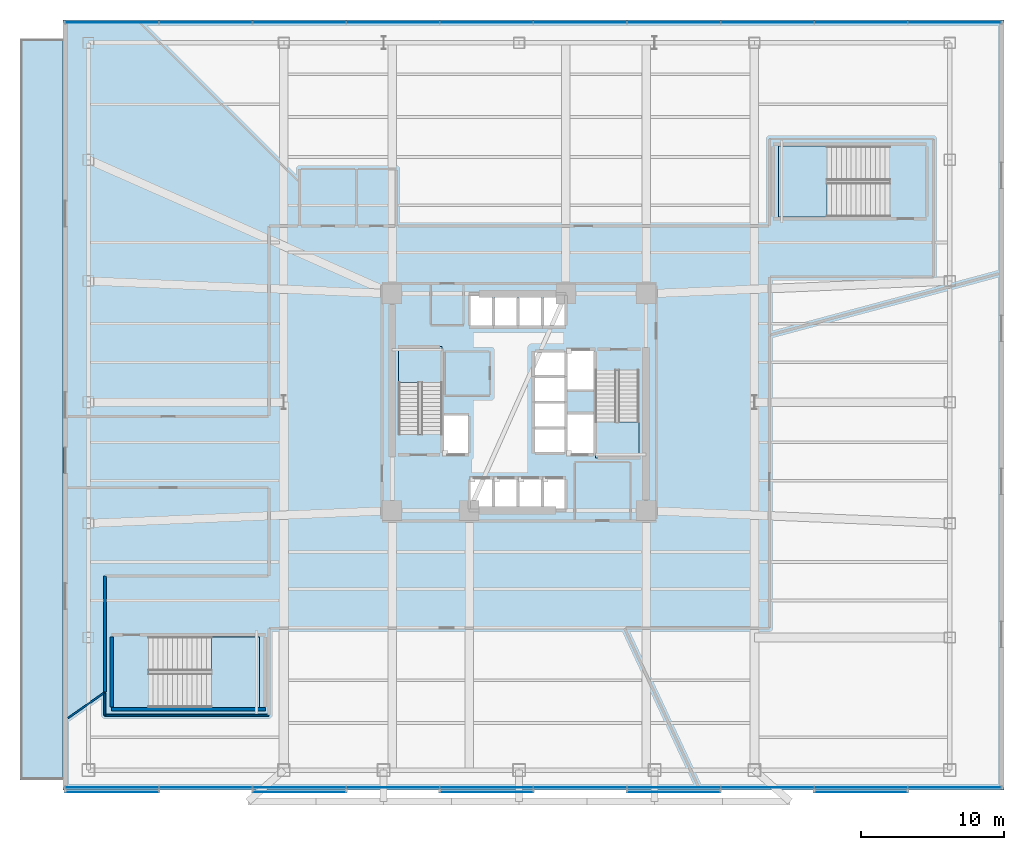
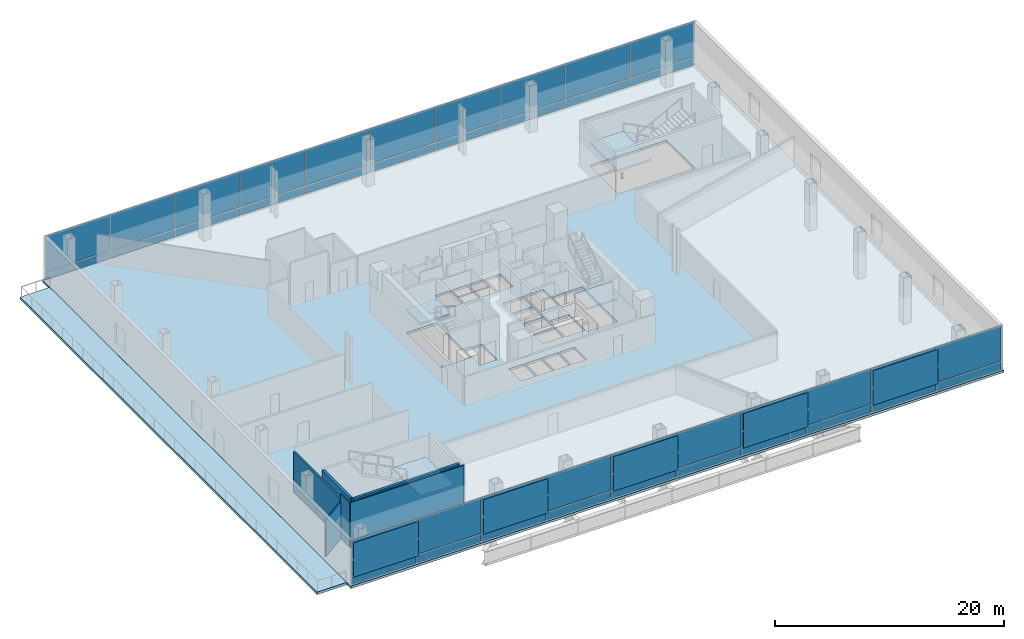
# One storey, part 9 of 20: 45 plates, 6 slabs, 6 walls, 6 elements without a shape of their own.
"""IFC4 building model written with IfcOpenShell, lengths in metres."""

from ifc_helpers import new_model, si_unit, direction, frame, frame_2d, origin, origin_2d, place, context, subcontext, project, spatial, polyline, rectangle, outline, extrude, material, layer, layer_set, type_object, element, aggregate, save


model = new_model("IFC4")

# Units and contexts
model_context = context("Model", 3, precision=1e-05, world=origin(), true_north=direction((0.0, 1.0)))
body_context = subcontext(model_context, "Body", "Model", "MODEL_VIEW")
ifc_project = project(units=[si_unit("LENGTHUNIT", "METRE"), si_unit("AREAUNIT", "SQUARE_METRE"), si_unit("VOLUMEUNIT", "CUBIC_METRE"), si_unit("PLANEANGLEUNIT", "RADIAN"), si_unit("MASSUNIT", "GRAM", prefix="KILO")], contexts=[model_context])

# Site, building, storey
site_placement = place(None, origin())
site = spatial("IfcSite", under=ifc_project, at=site_placement, CompositionType="ELEMENT")
building_placement = place(site_placement, origin())
building = spatial("IfcBuilding", under=site, at=building_placement, Name="Tharavind Bronze Gate", CompositionType="ELEMENT")
storey_placement = place(building_placement, frame((0.0, 0.0, 16.5)))
storey = spatial("IfcBuildingStorey", under=building, at=storey_placement, Name="L03", CompositionType="ELEMENT", Elevation=16.5)

# Plates
ifc_material_1 = material(Name="Perforated Bronze Alloy", Category="bronze")
ifc_layer_1 = layer(ifc_material_1, 0.011962890625)
ifc_layer_set_1 = layer_set([ifc_layer_1], Name="Perforated Bronze Alloy")
plate_type_1 = type_object("IfcPlateType", Name="BRONZE PERFORATED SOLAR SCREEN", PredefinedType="USERDEFINED", material=ifc_layer_set_1)
for number, where, z_axis, x_axis, name in (
    (1, (-28.5380859375, -27.3349609375, 0.97412109375), (0.0, 0.0, 1.0), (1.0, 0.0, 0.0), "CW-L03-S1 perforated bronze solar screen 1"),
    (2, (-15.409912109375, -27.3349609375, 0.97412109375), (0.0, 0.0, 1.0), (1.0, 0.0, 0.0), "CW-L03-S1 perforated bronze solar screen 3"),
    (3, (-2.281982421875, -27.3349609375, 0.97412109375), (0.0, 0.0, 1.0), (1.0, 0.0, 0.0), "CW-L03-S1 perforated bronze solar screen 5"),
    (4, (10.845947265625, -27.3349609375, 0.97412109375), (0.0, 0.0, 1.0), (1.0, 0.0, 0.0), "CW-L03-S1 perforated bronze solar screen 7"),
    (5, (23.97412109375, -27.3349609375, 0.97412109375), (0.0, 0.0, 1.0), (1.0, 0.0, 0.0), "CW-L03-S1 perforated bronze solar screen 9"),
):
    element("IfcPlate", number, at=place(storey_placement, frame(where, z_axis=z_axis, x_axis=x_axis)), inside=storey, type_object=plate_type_1, Name=name, ObjectType="SCREEN", PredefinedType="USERDEFINED", context=body_context, shape_type="SweptSolid", body=[
        extrude(rectangle(XDim=6.5439453125, YDim=0.011962890625, at=origin_2d()), origin(), (0.0, 0.0, 1.0), 3.69189453125),
    ])

# Curtain wall, plates
ifc_material_2 = material(Name="Anodised Bronze Aluminium", Category="aluminium")
ifc_layer_2 = layer(ifc_material_2, 0.219970703125)
ifc_layer_set_2 = layer_set([ifc_layer_2], Name="Anodised Bronze Aluminium")
curtain_wall_type = type_object("IfcCurtainWallType", Name="UNITISED CURTAIN WALL PODIUM", PredefinedType="USERDEFINED", material=ifc_layer_set_2)
curtain_wall_1_placement = place(storey_placement, origin())
curtain_wall_1 = element("IfcCurtainWall", 6, at=curtain_wall_1_placement, inside=storey, type_object=curtain_wall_type, Name="L03 unitised curtain wall podium CW-L03-S1", ObjectType="UNITISED CURTAIN WALL", PredefinedType="USERDEFINED")
ifc_material_3 = material(Name="Patinated Bronze Alloy Sheet", Category="bronze")
ifc_layer_3 = layer(ifc_material_3, 0.01611328125)
ifc_layer_set_3 = layer_set([ifc_layer_3], Name="Patinated Bronze Alloy Sheet")
plate_type_2 = type_object("IfcPlateType", Name="BRONZE SPANDREL CLADDING PANEL 16", PredefinedType="CURTAIN_PANEL", material=ifc_layer_set_3)
plate_1_placement = place(storey_placement, frame((-28.5380859375, -27.02001953125, 0.033935546875), z_axis=(0.0, 0.0, 1.0), x_axis=(1.0, 0.0, 0.0)))
plate_1 = element("IfcPlate", 7, at=plate_1_placement, type_object=plate_type_2, Name="CW-L03-S1 bronze spandrel panel 1", PredefinedType="CURTAIN_PANEL", context=body_context, shape_type="SweptSolid", body=[
    extrude(rectangle(XDim=6.49609375, YDim=0.01611328125, at=origin_2d()), origin(), (0.0, 0.0, 1.0), 0.83203125),
])
plate_2_placement = place(storey_placement, frame((-21.97412109375, -27.02001953125, 0.033935546875), z_axis=(0.0, 0.0, 1.0), x_axis=(1.0, 0.0, 0.0)))
plate_2 = element("IfcPlate", 8, at=plate_2_placement, type_object=plate_type_2, Name="CW-L03-S1 bronze spandrel panel 2", PredefinedType="CURTAIN_PANEL", context=body_context, shape_type="SweptSolid", body=[
    extrude(rectangle(XDim=6.49609375, YDim=0.01611328125, at=origin_2d()), origin(), (0.0, 0.0, 1.0), 0.83203125),
])
plate_3_placement = place(storey_placement, frame((-15.409912109375, -27.02001953125, 0.033935546875), z_axis=(0.0, 0.0, 1.0), x_axis=(1.0, 0.0, 0.0)))
plate_3 = element("IfcPlate", 9, at=plate_3_placement, type_object=plate_type_2, Name="CW-L03-S1 bronze spandrel panel 3", PredefinedType="CURTAIN_PANEL", context=body_context, shape_type="SweptSolid", body=[
    extrude(rectangle(XDim=6.49609375, YDim=0.01611328125, at=origin_2d()), origin(), (0.0, 0.0, 1.0), 0.83203125),
])
plate_4_placement = place(storey_placement, frame((-8.845947265625, -27.02001953125, 0.033935546875), z_axis=(0.0, 0.0, 1.0), x_axis=(1.0, 0.0, 0.0)))
plate_4 = element("IfcPlate", 10, at=plate_4_placement, type_object=plate_type_2, Name="CW-L03-S1 bronze spandrel panel 4", PredefinedType="CURTAIN_PANEL", context=body_context, shape_type="SweptSolid", body=[
    extrude(rectangle(XDim=6.49609375, YDim=0.01611328125, at=origin_2d()), origin(), (0.0, 0.0, 1.0), 0.83203125),
])
plate_5_placement = place(storey_placement, frame((-2.281982421875, -27.02001953125, 0.033935546875), z_axis=(0.0, 0.0, 1.0), x_axis=(1.0, 0.0, 0.0)))
plate_5 = element("IfcPlate", 11, at=plate_5_placement, type_object=plate_type_2, Name="CW-L03-S1 bronze spandrel panel 5", PredefinedType="CURTAIN_PANEL", context=body_context, shape_type="SweptSolid", body=[
    extrude(rectangle(XDim=6.49609375, YDim=0.01611328125, at=origin_2d()), origin(), (0.0, 0.0, 1.0), 0.83203125),
])
plate_6_placement = place(storey_placement, frame((4.281982421875, -27.02001953125, 0.033935546875), z_axis=(0.0, 0.0, 1.0), x_axis=(1.0, 0.0, 0.0)))
plate_6 = element("IfcPlate", 12, at=plate_6_placement, type_object=plate_type_2, Name="CW-L03-S1 bronze spandrel panel 6", PredefinedType="CURTAIN_PANEL", context=body_context, shape_type="SweptSolid", body=[
    extrude(rectangle(XDim=6.49609375, YDim=0.01611328125, at=origin_2d()), origin(), (0.0, 0.0, 1.0), 0.83203125),
])
plate_7_placement = place(storey_placement, frame((10.845947265625, -27.02001953125, 0.033935546875), z_axis=(0.0, 0.0, 1.0), x_axis=(1.0, 0.0, 0.0)))
plate_7 = element("IfcPlate", 13, at=plate_7_placement, type_object=plate_type_2, Name="CW-L03-S1 bronze spandrel panel 7", PredefinedType="CURTAIN_PANEL", context=body_context, shape_type="SweptSolid", body=[
    extrude(rectangle(XDim=6.49609375, YDim=0.01611328125, at=origin_2d()), origin(), (0.0, 0.0, 1.0), 0.83203125),
])
plate_8_placement = place(storey_placement, frame((17.409912109375, -27.02001953125, 0.033935546875), z_axis=(0.0, 0.0, 1.0), x_axis=(1.0, 0.0, 0.0)))
plate_8 = element("IfcPlate", 14, at=plate_8_placement, type_object=plate_type_2, Name="CW-L03-S1 bronze spandrel panel 8", PredefinedType="CURTAIN_PANEL", context=body_context, shape_type="SweptSolid", body=[
    extrude(rectangle(XDim=6.49609375, YDim=0.01611328125, at=origin_2d()), origin(), (0.0, 0.0, 1.0), 0.83203125),
])
plate_9_placement = place(storey_placement, frame((23.97412109375, -27.02001953125, 0.033935546875), z_axis=(0.0, 0.0, 1.0), x_axis=(1.0, 0.0, 0.0)))
plate_9 = element("IfcPlate", 15, at=plate_9_placement, type_object=plate_type_2, Name="CW-L03-S1 bronze spandrel panel 9", PredefinedType="CURTAIN_PANEL", context=body_context, shape_type="SweptSolid", body=[
    extrude(rectangle(XDim=6.49609375, YDim=0.01611328125, at=origin_2d()), origin(), (0.0, 0.0, 1.0), 0.83203125),
])
plate_10_placement = place(storey_placement, frame((30.5380859375, -27.02001953125, 0.033935546875), z_axis=(0.0, 0.0, 1.0), x_axis=(1.0, 0.0, 0.0)))
plate_10 = element("IfcPlate", 16, at=plate_10_placement, type_object=plate_type_2, Name="CW-L03-S1 bronze spandrel panel 10", PredefinedType="CURTAIN_PANEL", context=body_context, shape_type="SweptSolid", body=[
    extrude(rectangle(XDim=6.49609375, YDim=0.01611328125, at=origin_2d()), origin(), (0.0, 0.0, 1.0), 0.83203125),
])

curtain_wall_2_placement = place(storey_placement, origin())
curtain_wall_2 = element("IfcCurtainWall", 17, at=curtain_wall_2_placement, inside=storey, type_object=curtain_wall_type, Name="L03 unitised curtain wall podium CW-L03-S2", ObjectType="UNITISED CURTAIN WALL", PredefinedType="USERDEFINED")
plate_11_placement = place(storey_placement, frame((30.5380859375, 26.6201171875, 0.033935546875), z_axis=(0.0, 0.0, 1.0), x_axis=(-1.0, 0.0, 0.0)))
plate_11 = element("IfcPlate", 18, at=plate_11_placement, type_object=plate_type_2, Name="CW-L03-S2 bronze spandrel panel 1", PredefinedType="CURTAIN_PANEL", context=body_context, shape_type="SweptSolid", body=[
    extrude(rectangle(XDim=6.49609375, YDim=0.01611328125, at=origin_2d()), origin(), (0.0, 0.0, 1.0), 0.83203125),
])
plate_12_placement = place(storey_placement, frame((23.97412109375, 26.6201171875, 0.033935546875), z_axis=(0.0, 0.0, 1.0), x_axis=(-1.0, 0.0, 0.0)))
plate_12 = element("IfcPlate", 19, at=plate_12_placement, type_object=plate_type_2, Name="CW-L03-S2 bronze spandrel panel 2", PredefinedType="CURTAIN_PANEL", context=body_context, shape_type="SweptSolid", body=[
    extrude(rectangle(XDim=6.49609375, YDim=0.01611328125, at=origin_2d()), origin(), (0.0, 0.0, 1.0), 0.83203125),
])
plate_13_placement = place(storey_placement, frame((17.409912109375, 26.6201171875, 0.033935546875), z_axis=(0.0, 0.0, 1.0), x_axis=(-1.0, 0.0, 0.0)))
plate_13 = element("IfcPlate", 20, at=plate_13_placement, type_object=plate_type_2, Name="CW-L03-S2 bronze spandrel panel 3", PredefinedType="CURTAIN_PANEL", context=body_context, shape_type="SweptSolid", body=[
    extrude(rectangle(XDim=6.49609375, YDim=0.01611328125, at=origin_2d()), origin(), (0.0, 0.0, 1.0), 0.83203125),
])
plate_14_placement = place(storey_placement, frame((10.845947265625, 26.6201171875, 0.033935546875), z_axis=(0.0, 0.0, 1.0), x_axis=(-1.0, 0.0, 0.0)))
plate_14 = element("IfcPlate", 21, at=plate_14_placement, type_object=plate_type_2, Name="CW-L03-S2 bronze spandrel panel 4", PredefinedType="CURTAIN_PANEL", context=body_context, shape_type="SweptSolid", body=[
    extrude(rectangle(XDim=6.49609375, YDim=0.01611328125, at=origin_2d()), origin(), (0.0, 0.0, 1.0), 0.83203125),
])
plate_15_placement = place(storey_placement, frame((4.281982421875, 26.6201171875, 0.033935546875), z_axis=(0.0, 0.0, 1.0), x_axis=(-1.0, 0.0, 0.0)))
plate_15 = element("IfcPlate", 22, at=plate_15_placement, type_object=plate_type_2, Name="CW-L03-S2 bronze spandrel panel 5", PredefinedType="CURTAIN_PANEL", context=body_context, shape_type="SweptSolid", body=[
    extrude(rectangle(XDim=6.49609375, YDim=0.01611328125, at=origin_2d()), origin(), (0.0, 0.0, 1.0), 0.83203125),
])
plate_16_placement = place(storey_placement, frame((-2.281982421875, 26.6201171875, 0.033935546875), z_axis=(0.0, 0.0, 1.0), x_axis=(-1.0, 0.0, 0.0)))
plate_16 = element("IfcPlate", 23, at=plate_16_placement, type_object=plate_type_2, Name="CW-L03-S2 bronze spandrel panel 6", PredefinedType="CURTAIN_PANEL", context=body_context, shape_type="SweptSolid", body=[
    extrude(rectangle(XDim=6.49609375, YDim=0.01611328125, at=origin_2d()), origin(), (0.0, 0.0, 1.0), 0.83203125),
])
plate_17_placement = place(storey_placement, frame((-8.845947265625, 26.6201171875, 0.033935546875), z_axis=(0.0, 0.0, 1.0), x_axis=(-1.0, 0.0, 0.0)))
plate_17 = element("IfcPlate", 24, at=plate_17_placement, type_object=plate_type_2, Name="CW-L03-S2 bronze spandrel panel 7", PredefinedType="CURTAIN_PANEL", context=body_context, shape_type="SweptSolid", body=[
    extrude(rectangle(XDim=6.49609375, YDim=0.01611328125, at=origin_2d()), origin(), (0.0, 0.0, 1.0), 0.83203125),
])
plate_18_placement = place(storey_placement, frame((-15.409912109375, 26.6201171875, 0.033935546875), z_axis=(0.0, 0.0, 1.0), x_axis=(-1.0, 0.0, 0.0)))
plate_18 = element("IfcPlate", 25, at=plate_18_placement, type_object=plate_type_2, Name="CW-L03-S2 bronze spandrel panel 8", PredefinedType="CURTAIN_PANEL", context=body_context, shape_type="SweptSolid", body=[
    extrude(rectangle(XDim=6.49609375, YDim=0.01611328125, at=origin_2d()), origin(), (0.0, 0.0, 1.0), 0.83203125),
])
plate_19_placement = place(storey_placement, frame((-21.97412109375, 26.6201171875, 0.033935546875), z_axis=(0.0, 0.0, 1.0), x_axis=(-1.0, 0.0, 0.0)))
plate_19 = element("IfcPlate", 26, at=plate_19_placement, type_object=plate_type_2, Name="CW-L03-S2 bronze spandrel panel 9", PredefinedType="CURTAIN_PANEL", context=body_context, shape_type="SweptSolid", body=[
    extrude(rectangle(XDim=6.49609375, YDim=0.01611328125, at=origin_2d()), origin(), (0.0, 0.0, 1.0), 0.83203125),
])
plate_20_placement = place(storey_placement, frame((-28.5380859375, 26.6201171875, 0.033935546875), z_axis=(0.0, 0.0, 1.0), x_axis=(-1.0, 0.0, 0.0)))
plate_20 = element("IfcPlate", 27, at=plate_20_placement, type_object=plate_type_2, Name="CW-L03-S2 bronze spandrel panel 10", PredefinedType="CURTAIN_PANEL", context=body_context, shape_type="SweptSolid", body=[
    extrude(rectangle(XDim=6.49609375, YDim=0.01611328125, at=origin_2d()), origin(), (0.0, 0.0, 1.0), 0.83203125),
])

# Plate
ifc_material_4 = material(Name="Low-E Double Glazing", Category="glass")
ifc_layer_4 = layer(ifc_material_4, 0.031982421875)
ifc_layer_set_4 = layer_set([ifc_layer_4], Name="Low-E Double Glazing")
plate_type_3 = type_object("IfcPlateType", Name="DOUBLE GLAZED FACADE PANEL 32", PredefinedType="CURTAIN_PANEL", material=ifc_layer_set_4)
plate_21_placement = place(storey_placement, frame((-28.5380859375, -27.02001953125, 0.93408203125), z_axis=(0.0, 0.0, 1.0), x_axis=(1.0, 0.0, 0.0)))
plate_21 = element("IfcPlate", 28, at=plate_21_placement, type_object=plate_type_3, Name="CW-L03-S1 vision glazing panel 1", PredefinedType="CURTAIN_PANEL", context=body_context, shape_type="SweptSolid", body=[
    extrude(rectangle(XDim=6.49609375, YDim=0.031982421875, at=origin_2d()), origin(), (0.0, 0.0, 1.0), 3.77197265625),
])

plate_22_placement = place(storey_placement, frame((-21.97412109375, -27.02001953125, 0.93408203125), z_axis=(0.0, 0.0, 1.0), x_axis=(1.0, 0.0, 0.0)))
plate_22 = element("IfcPlate", 29, at=plate_22_placement, type_object=plate_type_3, Name="CW-L03-S1 vision glazing panel 2", PredefinedType="CURTAIN_PANEL", context=body_context, shape_type="SweptSolid", body=[
    extrude(rectangle(XDim=6.49609375, YDim=0.031982421875, at=origin_2d()), origin(), (0.0, 0.0, 1.0), 3.77197265625),
])

plate_23_placement = place(storey_placement, frame((-15.409912109375, -27.02001953125, 0.93408203125), z_axis=(0.0, 0.0, 1.0), x_axis=(1.0, 0.0, 0.0)))
plate_23 = element("IfcPlate", 30, at=plate_23_placement, type_object=plate_type_3, Name="CW-L03-S1 vision glazing panel 3", PredefinedType="CURTAIN_PANEL", context=body_context, shape_type="SweptSolid", body=[
    extrude(rectangle(XDim=6.49609375, YDim=0.031982421875, at=origin_2d()), origin(), (0.0, 0.0, 1.0), 3.77197265625),
])

plate_24_placement = place(storey_placement, frame((-8.845947265625, -27.02001953125, 0.93408203125), z_axis=(0.0, 0.0, 1.0), x_axis=(1.0, 0.0, 0.0)))
plate_24 = element("IfcPlate", 31, at=plate_24_placement, type_object=plate_type_3, Name="CW-L03-S1 vision glazing panel 4", PredefinedType="CURTAIN_PANEL", context=body_context, shape_type="SweptSolid", body=[
    extrude(rectangle(XDim=6.49609375, YDim=0.031982421875, at=origin_2d()), origin(), (0.0, 0.0, 1.0), 3.77197265625),
])

plate_25_placement = place(storey_placement, frame((-2.281982421875, -27.02001953125, 0.93408203125), z_axis=(0.0, 0.0, 1.0), x_axis=(1.0, 0.0, 0.0)))
plate_25 = element("IfcPlate", 32, at=plate_25_placement, type_object=plate_type_3, Name="CW-L03-S1 vision glazing panel 5", PredefinedType="CURTAIN_PANEL", context=body_context, shape_type="SweptSolid", body=[
    extrude(rectangle(XDim=6.49609375, YDim=0.031982421875, at=origin_2d()), origin(), (0.0, 0.0, 1.0), 3.77197265625),
])

plate_26_placement = place(storey_placement, frame((4.281982421875, -27.02001953125, 0.93408203125), z_axis=(0.0, 0.0, 1.0), x_axis=(1.0, 0.0, 0.0)))
plate_26 = element("IfcPlate", 33, at=plate_26_placement, type_object=plate_type_3, Name="CW-L03-S1 vision glazing panel 6", PredefinedType="CURTAIN_PANEL", context=body_context, shape_type="SweptSolid", body=[
    extrude(rectangle(XDim=6.49609375, YDim=0.031982421875, at=origin_2d()), origin(), (0.0, 0.0, 1.0), 3.77197265625),
])

plate_27_placement = place(storey_placement, frame((10.845947265625, -27.02001953125, 0.93408203125), z_axis=(0.0, 0.0, 1.0), x_axis=(1.0, 0.0, 0.0)))
plate_27 = element("IfcPlate", 34, at=plate_27_placement, type_object=plate_type_3, Name="CW-L03-S1 vision glazing panel 7", PredefinedType="CURTAIN_PANEL", context=body_context, shape_type="SweptSolid", body=[
    extrude(rectangle(XDim=6.49609375, YDim=0.031982421875, at=origin_2d()), origin(), (0.0, 0.0, 1.0), 3.77197265625),
])

plate_28_placement = place(storey_placement, frame((17.409912109375, -27.02001953125, 0.93408203125), z_axis=(0.0, 0.0, 1.0), x_axis=(1.0, 0.0, 0.0)))
plate_28 = element("IfcPlate", 35, at=plate_28_placement, type_object=plate_type_3, Name="CW-L03-S1 vision glazing panel 8", PredefinedType="CURTAIN_PANEL", context=body_context, shape_type="SweptSolid", body=[
    extrude(rectangle(XDim=6.49609375, YDim=0.031982421875, at=origin_2d()), origin(), (0.0, 0.0, 1.0), 3.77197265625),
])

plate_29_placement = place(storey_placement, frame((23.97412109375, -27.02001953125, 0.93408203125), z_axis=(0.0, 0.0, 1.0), x_axis=(1.0, 0.0, 0.0)))
plate_29 = element("IfcPlate", 36, at=plate_29_placement, type_object=plate_type_3, Name="CW-L03-S1 vision glazing panel 9", PredefinedType="CURTAIN_PANEL", context=body_context, shape_type="SweptSolid", body=[
    extrude(rectangle(XDim=6.49609375, YDim=0.031982421875, at=origin_2d()), origin(), (0.0, 0.0, 1.0), 3.77197265625),
])

plate_30_placement = place(storey_placement, frame((30.5380859375, -27.02001953125, 0.93408203125), z_axis=(0.0, 0.0, 1.0), x_axis=(1.0, 0.0, 0.0)))
plate_30 = element("IfcPlate", 37, at=plate_30_placement, type_object=plate_type_3, Name="CW-L03-S1 vision glazing panel 10", PredefinedType="CURTAIN_PANEL", context=body_context, shape_type="SweptSolid", body=[
    extrude(rectangle(XDim=6.49609375, YDim=0.031982421875, at=origin_2d()), origin(), (0.0, 0.0, 1.0), 3.77197265625),
])

aggregate(curtain_wall_1, [plate_1, plate_21, plate_2, plate_22, plate_3, plate_23, plate_4, plate_24, plate_5, plate_25, plate_6, plate_26, plate_7, plate_27, plate_8, plate_28, plate_9, plate_29, plate_10, plate_30])

plate_31_placement = place(storey_placement, frame((30.5380859375, 26.6201171875, 0.93408203125), z_axis=(0.0, 0.0, 1.0), x_axis=(-1.0, 0.0, 0.0)))
plate_31 = element("IfcPlate", 38, at=plate_31_placement, type_object=plate_type_3, Name="CW-L03-S2 vision glazing panel 1", PredefinedType="CURTAIN_PANEL", context=body_context, shape_type="SweptSolid", body=[
    extrude(rectangle(XDim=6.49609375, YDim=0.031982421875, at=origin_2d()), origin(), (0.0, 0.0, 1.0), 3.77197265625),
])

plate_32_placement = place(storey_placement, frame((23.97412109375, 26.6201171875, 0.93408203125), z_axis=(0.0, 0.0, 1.0), x_axis=(-1.0, 0.0, 0.0)))
plate_32 = element("IfcPlate", 39, at=plate_32_placement, type_object=plate_type_3, Name="CW-L03-S2 vision glazing panel 2", PredefinedType="CURTAIN_PANEL", context=body_context, shape_type="SweptSolid", body=[
    extrude(rectangle(XDim=6.49609375, YDim=0.031982421875, at=origin_2d()), origin(), (0.0, 0.0, 1.0), 3.77197265625),
])

plate_33_placement = place(storey_placement, frame((17.409912109375, 26.6201171875, 0.93408203125), z_axis=(0.0, 0.0, 1.0), x_axis=(-1.0, 0.0, 0.0)))
plate_33 = element("IfcPlate", 40, at=plate_33_placement, type_object=plate_type_3, Name="CW-L03-S2 vision glazing panel 3", PredefinedType="CURTAIN_PANEL", context=body_context, shape_type="SweptSolid", body=[
    extrude(rectangle(XDim=6.49609375, YDim=0.031982421875, at=origin_2d()), origin(), (0.0, 0.0, 1.0), 3.77197265625),
])

plate_34_placement = place(storey_placement, frame((10.845947265625, 26.6201171875, 0.93408203125), z_axis=(0.0, 0.0, 1.0), x_axis=(-1.0, 0.0, 0.0)))
plate_34 = element("IfcPlate", 41, at=plate_34_placement, type_object=plate_type_3, Name="CW-L03-S2 vision glazing panel 4", PredefinedType="CURTAIN_PANEL", context=body_context, shape_type="SweptSolid", body=[
    extrude(rectangle(XDim=6.49609375, YDim=0.031982421875, at=origin_2d()), origin(), (0.0, 0.0, 1.0), 3.77197265625),
])

plate_35_placement = place(storey_placement, frame((4.281982421875, 26.6201171875, 0.93408203125), z_axis=(0.0, 0.0, 1.0), x_axis=(-1.0, 0.0, 0.0)))
plate_35 = element("IfcPlate", 42, at=plate_35_placement, type_object=plate_type_3, Name="CW-L03-S2 vision glazing panel 5", PredefinedType="CURTAIN_PANEL", context=body_context, shape_type="SweptSolid", body=[
    extrude(rectangle(XDim=6.49609375, YDim=0.031982421875, at=origin_2d()), origin(), (0.0, 0.0, 1.0), 3.77197265625),
])

plate_36_placement = place(storey_placement, frame((-2.281982421875, 26.6201171875, 0.93408203125), z_axis=(0.0, 0.0, 1.0), x_axis=(-1.0, 0.0, 0.0)))
plate_36 = element("IfcPlate", 43, at=plate_36_placement, type_object=plate_type_3, Name="CW-L03-S2 vision glazing panel 6", PredefinedType="CURTAIN_PANEL", context=body_context, shape_type="SweptSolid", body=[
    extrude(rectangle(XDim=6.49609375, YDim=0.031982421875, at=origin_2d()), origin(), (0.0, 0.0, 1.0), 3.77197265625),
])

plate_37_placement = place(storey_placement, frame((-8.845947265625, 26.6201171875, 0.93408203125), z_axis=(0.0, 0.0, 1.0), x_axis=(-1.0, 0.0, 0.0)))
plate_37 = element("IfcPlate", 44, at=plate_37_placement, type_object=plate_type_3, Name="CW-L03-S2 vision glazing panel 7", PredefinedType="CURTAIN_PANEL", context=body_context, shape_type="SweptSolid", body=[
    extrude(rectangle(XDim=6.49609375, YDim=0.031982421875, at=origin_2d()), origin(), (0.0, 0.0, 1.0), 3.77197265625),
])

plate_38_placement = place(storey_placement, frame((-15.409912109375, 26.6201171875, 0.93408203125), z_axis=(0.0, 0.0, 1.0), x_axis=(-1.0, 0.0, 0.0)))
plate_38 = element("IfcPlate", 45, at=plate_38_placement, type_object=plate_type_3, Name="CW-L03-S2 vision glazing panel 8", PredefinedType="CURTAIN_PANEL", context=body_context, shape_type="SweptSolid", body=[
    extrude(rectangle(XDim=6.49609375, YDim=0.031982421875, at=origin_2d()), origin(), (0.0, 0.0, 1.0), 3.77197265625),
])

plate_39_placement = place(storey_placement, frame((-21.97412109375, 26.6201171875, 0.93408203125), z_axis=(0.0, 0.0, 1.0), x_axis=(-1.0, 0.0, 0.0)))
plate_39 = element("IfcPlate", 46, at=plate_39_placement, type_object=plate_type_3, Name="CW-L03-S2 vision glazing panel 9", PredefinedType="CURTAIN_PANEL", context=body_context, shape_type="SweptSolid", body=[
    extrude(rectangle(XDim=6.49609375, YDim=0.031982421875, at=origin_2d()), origin(), (0.0, 0.0, 1.0), 3.77197265625),
])

plate_40_placement = place(storey_placement, frame((-28.5380859375, 26.6201171875, 0.93408203125), z_axis=(0.0, 0.0, 1.0), x_axis=(-1.0, 0.0, 0.0)))
plate_40 = element("IfcPlate", 47, at=plate_40_placement, type_object=plate_type_3, Name="CW-L03-S2 vision glazing panel 10", PredefinedType="CURTAIN_PANEL", context=body_context, shape_type="SweptSolid", body=[
    extrude(rectangle(XDim=6.49609375, YDim=0.031982421875, at=origin_2d()), origin(), (0.0, 0.0, 1.0), 3.77197265625),
])

aggregate(curtain_wall_2, [plate_11, plate_31, plate_12, plate_32, plate_13, plate_33, plate_14, plate_34, plate_15, plate_35, plate_16, plate_36, plate_17, plate_37, plate_18, plate_38, plate_19, plate_39, plate_20, plate_40])

# Slab
ifc_material_5 = material(Name="Concrete C40/50", Category="concrete")
ifc_layer_5 = layer(ifc_material_5, 0.260009765625)
ifc_layer_set_5 = layer_set([ifc_layer_5], Name="Concrete C40/50")
slab_type_1 = type_object("IfcSlabType", Name="EXTERIOR TERRACE SLAB 260", PredefinedType="FLOOR", material=ifc_layer_set_5)
slab_1_placement = place(storey_placement, frame((0.0, 0.0, -0.260009765625)))
element("IfcSlab", 48, at=slab_1_placement, inside=storey, type_object=slab_type_1, Name="L03 convention west terrace slab", PredefinedType="FLOOR", context=body_context, shape_type="SweptSolid", body=[
    extrude(outline(polyline([(-35.0, -26.5), (-32.0, -26.5), (-32.0, 25.5), (-35.0, 25.5), (-35.0, -26.5)])), origin(), (0.0, 0.0, 1.0), 0.260009765625),
])

# Stair, slab
stair_type_1 = type_object("IfcStairType", Name="CORE HALF TURN STAIR 1450", PredefinedType="HALF_TURN_STAIR", material=ifc_material_5)
stair_1_placement = place(storey_placement, origin())
stair_1 = element("IfcStair", 49, at=stair_1_placement, inside=storey, type_object=stair_type_1, Name="L03 Protected Exit Stair ST1", PredefinedType="HALF_TURN_STAIR")
ifc_layer_6 = layer(ifc_material_5, 0.199951171875)
ifc_layer_set_6 = layer_set([ifc_layer_6], Name="Concrete C40/50")
slab_type_2 = type_object("IfcSlabType", Name="STAIR LANDING SLAB 200", PredefinedType="LANDING", material=ifc_layer_set_6)
slab_2_placement = place(storey_placement, frame((0.0, 0.0, 2.300048828125)))
slab_2 = element("IfcSlab", 50, at=slab_2_placement, type_object=slab_type_2, Name="ST1 landing 1", PredefinedType="LANDING", context=body_context, shape_type="SweptSolid", body=[
    extrude(outline(polyline([(-5.39990234375, 1.389892578125), (-5.39990234375, 3.89990234375), (-8.449951171875, 3.89990234375), (-8.449951171875, 1.389892578125), (-5.39990234375, 1.389892578125)])), origin(), (0.0, 0.0, 1.0), 0.199951171875),
])
aggregate(stair_1, [slab_2])

stair_2_placement = place(storey_placement, origin())
stair_2 = element("IfcStair", 51, at=stair_2_placement, inside=storey, type_object=stair_type_1, Name="L03 Protected Exit Stair ST2", PredefinedType="HALF_TURN_STAIR")
slab_3_placement = place(storey_placement, frame((0.0, 0.0, 2.300048828125)))
slab_3 = element("IfcSlab", 52, at=slab_3_placement, type_object=slab_type_2, Name="ST2 landing 1", PredefinedType="LANDING", context=body_context, shape_type="SweptSolid", body=[
    extrude(outline(polyline([(5.35009765625, -1.389892578125), (5.35009765625, -3.89990234375), (8.39990234375, -3.89990234375), (8.39990234375, -1.389892578125), (5.35009765625, -1.389892578125)])), origin(), (0.0, 0.0, 1.0), 0.199951171875),
])
aggregate(stair_2, [slab_3])

stair_type_2 = type_object("IfcStairType", Name="PODIUM HALF TURN STAIR 2400", PredefinedType="HALF_TURN_STAIR", material=ifc_material_5)
stair_3_placement = place(storey_placement, origin())
stair_3 = element("IfcStair", 53, at=stair_3_placement, inside=storey, type_object=stair_type_2, Name="L03 Protected Exit Stair ST3", PredefinedType="HALF_TURN_STAIR")
slab_4_placement = place(storey_placement, frame((0.0, 0.0, 2.300048828125)))
slab_4 = element("IfcSlab", 54, at=slab_4_placement, type_object=slab_type_2, Name="ST3 landing 1", PredefinedType="LANDING", context=body_context, shape_type="SweptSolid", body=[
    extrude(outline(polyline([(-21.580078125, -21.39990234375), (-18.199951171875, -21.39990234375), (-18.199951171875, -16.449951171875), (-21.580078125, -16.449951171875), (-21.580078125, -21.39990234375)])), origin(), (0.0, 0.0, 1.0), 0.199951171875),
])
aggregate(stair_3, [slab_4])

stair_4_placement = place(storey_placement, origin())
stair_4 = element("IfcStair", 55, at=stair_4_placement, inside=storey, type_object=stair_type_2, Name="L03 Protected Exit Stair ST4", PredefinedType="HALF_TURN_STAIR")
slab_5_placement = place(storey_placement, frame((0.0, 0.0, 2.300048828125)))
slab_5 = element("IfcSlab", 56, at=slab_5_placement, type_object=slab_type_2, Name="ST4 landing 1", PredefinedType="LANDING", context=body_context, shape_type="SweptSolid", body=[
    extrude(outline(polyline([(21.580078125, 17.949951171875), (18.199951171875, 17.949951171875), (18.199951171875, 13.0), (21.580078125, 13.0), (21.580078125, 17.949951171875)])), origin(), (0.0, 0.0, 1.0), 0.199951171875),
])
aggregate(stair_4, [slab_5])

# Slab
ifc_layer_7 = layer(ifc_material_5, 0.260009765625)
ifc_layer_set_7 = layer_set([ifc_layer_7], Name="Concrete C40/50")
slab_type_3 = type_object("IfcSlabType", Name="STRUCTURAL FLOOR SLAB 260", PredefinedType="FLOOR", material=ifc_layer_set_7)
slab_6_placement = place(storey_placement, frame((0.0, 0.0, -0.260009765625)))
element("IfcSlab", 57, at=slab_6_placement, inside=storey, type_object=slab_type_3, Name="L03 main structural floor slab", PredefinedType="FLOOR", context=body_context, shape_type="SweptSolid", body=[
    extrude(outline(polyline([(-32.0, -27.199951171875), (34.0, -27.199951171875), (34.0, 26.800048828125), (-32.0, 26.800048828125), (-32.0, -27.199951171875)]), holes=[polyline([(-5.39990234375, -2.215087890625), (-5.39990234375, 3.89990234375), (-8.449951171875, 3.89990234375), (-8.449951171875, -2.215087890625), (-5.39990234375, -2.215087890625)]), polyline([(5.35009765625, 2.215087890625), (5.35009765625, -3.89990234375), (8.39990234375, -3.89990234375), (8.39990234375, 2.215087890625), (5.35009765625, 2.215087890625)]), polyline([(-25.965087890625, -21.39990234375), (-18.199951171875, -21.39990234375), (-18.199951171875, -16.449951171875), (-25.965087890625, -16.449951171875), (-25.965087890625, -21.39990234375)]), polyline([(25.965087890625, 17.949951171875), (18.199951171875, 17.949951171875), (18.199951171875, 13.0), (25.965087890625, 13.0), (25.965087890625, 17.949951171875)]), polyline([(-3.419921875, -7.52001953125), (-1.867431640625, -7.52001953125), (-1.867431640625, -5.3798828125), (-3.419921875, -5.3798828125), (-3.419921875, -7.52001953125)]), polyline([(-1.70751953125, -7.52001953125), (-0.155029296875, -7.52001953125), (-0.155029296875, -5.3798828125), (-1.70751953125, -5.3798828125), (-1.70751953125, -7.52001953125)]), polyline([(0.0048828125, -7.52001953125), (1.5576171875, -7.52001953125), (1.5576171875, -5.3798828125), (0.0048828125, -5.3798828125), (0.0048828125, -7.52001953125)]), polyline([(1.717529296875, -7.52001953125), (3.199951171875, -7.52001953125), (3.199951171875, -5.3798828125), (1.717529296875, -5.3798828125), (1.717529296875, -7.52001953125)]), polyline([(-3.419921875, 5.330078125), (-1.867431640625, 5.330078125), (-1.867431640625, 7.52001953125), (-3.419921875, 7.52001953125), (-3.419921875, 5.330078125)]), polyline([(-1.70751953125, 5.330078125), (-0.155029296875, 5.330078125), (-0.155029296875, 7.52001953125), (-1.70751953125, 7.52001953125), (-1.70751953125, 5.330078125)]), polyline([(0.0048828125, 5.330078125), (1.5576171875, 5.330078125), (1.5576171875, 7.52001953125), (0.0048828125, 7.52001953125), (0.0048828125, 5.330078125)]), polyline([(1.717529296875, 5.330078125), (3.199951171875, 5.330078125), (3.199951171875, 7.52001953125), (1.717529296875, 7.52001953125), (1.717529296875, 5.330078125)]), polyline([(1.080078125, -3.52001953125), (3.199951171875, -3.52001953125), (3.199951171875, -1.8798828125), (1.080078125, -1.8798828125), (1.080078125, -3.52001953125)]), polyline([(1.080078125, -1.719970703125), (3.199951171875, -1.719970703125), (3.199951171875, -0.080078125), (1.080078125, -0.080078125), (1.080078125, -1.719970703125)]), polyline([(1.080078125, 0.080078125), (3.199951171875, 0.080078125), (3.199951171875, 1.719970703125), (1.080078125, 1.719970703125), (1.080078125, 0.080078125)]), polyline([(1.080078125, 1.8798828125), (3.199951171875, 1.8798828125), (3.199951171875, 3.52001953125), (1.080078125, 3.52001953125), (1.080078125, 1.8798828125)]), polyline([(-5.320068359375, -3.6201171875), (-3.580078125, -3.6201171875), (-3.580078125, -0.929931640625), (-5.320068359375, -0.929931640625), (-5.320068359375, -3.6201171875)]), polyline([(3.360107421875, 0.8798828125), (5.27001953125, 0.8798828125), (5.27001953125, 3.6201171875), (3.360107421875, 3.6201171875), (3.360107421875, 0.8798828125)]), polyline([(3.360107421875, -3.6201171875), (5.27001953125, -3.6201171875), (5.27001953125, -0.830078125), (3.360107421875, -0.830078125), (3.360107421875, -3.6201171875)])]), origin(), (0.0, 0.0, 1.0), 0.260009765625),
])

# Walls
ifc_material_6 = material(Name="Aerated Concrete Block", Category="concrete")
ifc_layer_8 = layer(ifc_material_6, 0.199951171875)
ifc_layer_set_8 = layer_set([ifc_layer_8], Name="Aerated Concrete Block")
wall_type_1 = type_object("IfcWallType", Name="FIRE RATED PARTITION 200", PredefinedType="PARTITIONING", material=ifc_layer_set_8)
wall_1_placement = place(storey_placement, frame((-29.050048828125, -12.20068359375, 0.0), z_axis=(0.0, 0.0, 1.0), x_axis=(0.0, -1.0, 0.0)))
element("IfcWall", 58, at=wall_1_placement, inside=storey, type_object=wall_type_1, Name="L03 West Terrace Foyer Lounge partition", PredefinedType="PARTITIONING", context=body_context, shape_type="SweptSolid", body=[
    extrude(rectangle(XDim=8.127197265625, YDim=0.199951171875, at=frame_2d((4.0634765625, 0.0))), origin(), (0.0, 0.0, 1.0), 4.284912109375),
])
ifc_material_7 = material(Name="Metal Stud Gypsum Partition", Category="gypsum")
ifc_layer_9 = layer(ifc_material_7, 0.1201171875)
ifc_layer_set_9 = layer_set([ifc_layer_9], Name="Metal Stud Gypsum Partition")
wall_type_2 = type_object("IfcWallType", Name="INTERIOR PARTITION WALL 120", PredefinedType="PARTITIONING", material=ifc_layer_set_9)
wall_2_placement = place(storey_placement, frame((-29.060791015625, -20.348388671875, 0.0), z_axis=(0.0, 0.0, 1.0), x_axis=(-0.819115335844, -0.573628857873, 0.0)))
element("IfcWall", 59, at=wall_2_placement, inside=storey, type_object=wall_type_2, Name="L03 West Terrace Foyer Lounge partition", PredefinedType="PARTITIONING", context=body_context, shape_type="SweptSolid", body=[
    extrude(rectangle(XDim=3.148681640625, YDim=0.1201171875, at=frame_2d((1.57421875, 0.0))), origin(), (0.0, 0.0, 1.0), 3.93505859375),
])
wall_3_placement = place(storey_placement, frame((-29.050048828125, -20.42041015625, 0.0), z_axis=(0.0, 0.0, 1.0), x_axis=(0.0, -1.0, 0.0)))
element("IfcWall", 60, at=wall_3_placement, inside=storey, type_object=wall_type_2, Name="L03 Bridal & VIP Green Room partition", PredefinedType="PARTITIONING", context=body_context, shape_type="SweptSolid", body=[
    extrude(rectangle(XDim=1.529052734375, YDim=0.1201171875, at=frame_2d((0.7646484375, 0.0))), origin(), (0.0, 0.0, 1.0), 4.739990234375),
])
wall_4_placement = place(storey_placement, frame((-29.04931640625, -21.949951171875, 0.0), z_axis=(0.0, 0.0, 1.0), x_axis=(1.0, 0.0, 0.0)))
element("IfcWall", 61, at=wall_4_placement, inside=storey, type_object=wall_type_2, Name="L03 Bridal & VIP Green Room partition", PredefinedType="PARTITIONING", context=body_context, shape_type="SweptSolid", body=[
    extrude(rectangle(XDim=11.498779296875, YDim=0.1201171875, at=frame_2d((5.74951171875, 0.0))), origin(), (0.0, 0.0, 1.0), 4.739990234375),
])
ifc_material_8 = material(Name="Concrete C50/60", Category="concrete")
ifc_layer_10 = layer(ifc_material_8, 0.25)
ifc_layer_set_10 = layer_set([ifc_layer_10], Name="Concrete C50/60")
wall_type_3 = type_object("IfcWallType", Name="RC CORE SHEAR WALL 250", PredefinedType="SHEAR", material=ifc_layer_set_10)
wall_5_placement = place(storey_placement, frame((-28.580078125, -21.530029296875, 0.0), z_axis=(0.0, 0.0, 1.0), x_axis=(1.0, 0.0, 0.0)))
element("IfcWall", 62, at=wall_5_placement, inside=storey, type_object=wall_type_3, Name="L03 ST3 south wall", PredefinedType="SHEAR", context=body_context, shape_type="SweptSolid", body=[
    extrude(rectangle(XDim=10.780029296875, YDim=0.25, at=frame_2d((5.39013671875, 0.0))), origin(), (0.0, 0.0, 1.0), 4.739990234375),
])
wall_6_placement = place(storey_placement, frame((-28.580078125, -21.3798828125, 0.0), z_axis=(0.0, 0.0, 1.0), x_axis=(0.0, 1.0, 0.0)))
element("IfcWall", 63, at=wall_6_placement, inside=storey, type_object=wall_type_3, Name="L03 ST3 west wall", PredefinedType="SHEAR", context=body_context, shape_type="SweptSolid", body=[
    extrude(rectangle(XDim=4.909912109375, YDim=0.25, at=frame_2d((2.455078125, 0.0))), origin(), (0.0, 0.0, 1.0), 4.739990234375),
])

save(model, "model.ifc")
